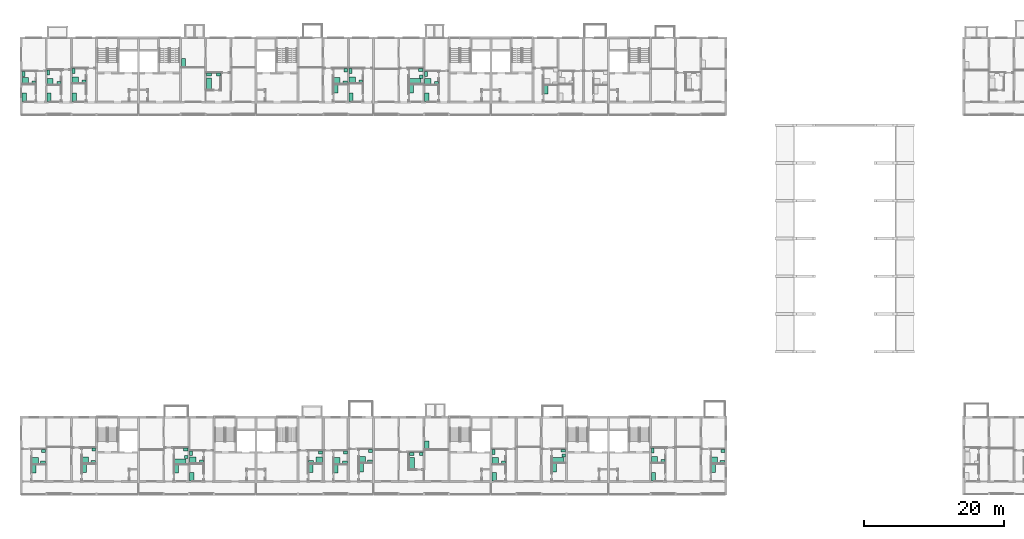
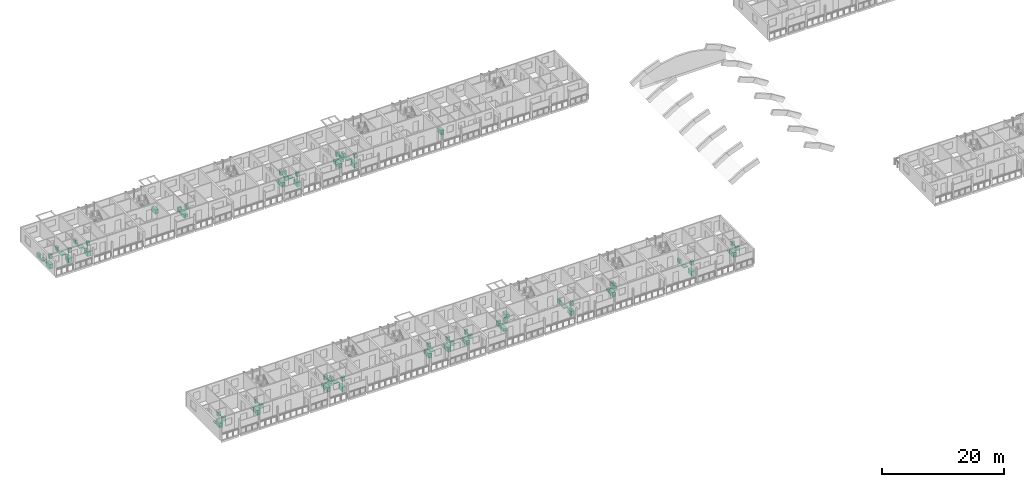
# One storey, part 97 of 99: 81 sanitary terminals.
"""IFC4 building model written with IfcOpenShell, lengths in metres."""

from ifc_helpers import new_model, si_unit, direction, frame, origin, origin_2d, place, context, subcontext, project, spatial, rectangle, extrude, element, save


model = new_model("IFC4")

# Units and contexts
model_context = context("Model", 3, precision=1e-05, world=origin(), true_north=direction((0.0, 1.0)))
body_context = subcontext(model_context, "Body", "Model", "MODEL_VIEW")
ifc_project = project(units=[si_unit("LENGTHUNIT", "METRE"), si_unit("AREAUNIT", "SQUARE_METRE"), si_unit("VOLUMEUNIT", "CUBIC_METRE"), si_unit("PLANEANGLEUNIT", "RADIAN"), si_unit("MASSUNIT", "GRAM", prefix="KILO")], contexts=[model_context])

# Site, building, storey
site_placement = place(None, origin())
site = spatial("IfcSite", under=ifc_project, at=site_placement, CompositionType="ELEMENT")
building_placement = place(site_placement, origin())
building = spatial("IfcBuilding", under=site, at=building_placement, Name="Ridgestep Commons", CompositionType="ELEMENT")
storey_placement = place(building_placement, frame((0.0, 0.0, 15.0)))
storey = spatial("IfcBuildingStorey", under=building, at=storey_placement, Name="L05", CompositionType="ELEMENT", Elevation=15.0)

# Sanitary terminals
sanitary_terminal_1_placement = place(storey_placement, frame((14.010009765625, 16.610107421875, 0.0), z_axis=(0.0, 0.0, 1.0), x_axis=(1.0, 0.0, 0.0)))
element("IfcSanitaryTerminal", 1, at=sanitary_terminal_1_placement, inside=storey, Name="Shower tray A1-05a", PredefinedType="SHOWER", context=body_context, shape_type="SweptSolid", body=[
    extrude(rectangle(XDim=0.89990234375, YDim=0.89990234375, at=origin_2d()), origin(), (0.0, 0.0, 1.0), 0.10009765625),
])
sanitary_terminal_2_placement = place(storey_placement, frame((15.14990234375, 16.360107421875, 0.0), z_axis=(0.0, 0.0, 1.0), x_axis=(1.0, 0.0, 0.0)))
element("IfcSanitaryTerminal", 2, at=sanitary_terminal_2_placement, inside=storey, Name="WC A1-05a", PredefinedType="TOILETPAN", context=body_context, shape_type="SweptSolid", body=[
    extrude(rectangle(XDim=0.699951171875, YDim=0.39990234375, at=origin_2d()), origin(), (0.0, 0.0, 1.0), 0.800048828125),
])
sanitary_terminal_3_placement = place(storey_placement, frame((15.22509765625, 18.02490234375, 0.0), z_axis=(0.0, 0.0, 1.0), x_axis=(1.0, 0.0, 0.0)))
element("IfcSanitaryTerminal", 3, at=sanitary_terminal_3_placement, inside=storey, Name="Basin A1-05a", PredefinedType="WASHHANDBASIN", context=body_context, shape_type="SweptSolid", body=[
    extrude(rectangle(XDim=0.550048828125, YDim=0.449951171875, at=origin_2d()), origin(), (0.0, 0.0, 1.0), 0.85009765625),
])
sanitary_terminal_4_placement = place(storey_placement, frame((13.860107421875, 15.449951171875, 0.0), z_axis=(0.0, 0.0, 1.0), x_axis=(1.0, 0.0, 0.0)))
element("IfcSanitaryTerminal", 4, at=sanitary_terminal_4_placement, inside=storey, Name="Kitchen sink A1-05a", PredefinedType="SINK", context=body_context, shape_type="SweptSolid", body=[
    extrude(rectangle(XDim=0.60009765625, YDim=1.199951171875, at=origin_2d()), origin(), (0.0, 0.0, 1.0), 0.89990234375),
])
sanitary_terminal_5_placement = place(storey_placement, frame((21.18505859375, 16.7099609375, 0.0), z_axis=(0.0, 0.0, 1.0), x_axis=(1.0, 0.0, 0.0)))
element("IfcSanitaryTerminal", 5, at=sanitary_terminal_5_placement, inside=storey, Name="Shower tray A1-05b", PredefinedType="SHOWER", context=body_context, shape_type="SweptSolid", body=[
    extrude(rectangle(XDim=0.89990234375, YDim=0.89990234375, at=origin_2d()), origin(), (0.0, 0.0, 1.0), 0.10009765625),
])
sanitary_terminal_6_placement = place(storey_placement, frame((22.324951171875, 16.4599609375, 0.0), z_axis=(0.0, 0.0, 1.0), x_axis=(1.0, 0.0, 0.0)))
element("IfcSanitaryTerminal", 6, at=sanitary_terminal_6_placement, inside=storey, Name="WC A1-05b", PredefinedType="TOILETPAN", context=body_context, shape_type="SweptSolid", body=[
    extrude(rectangle(XDim=0.699951171875, YDim=0.39990234375, at=origin_2d()), origin(), (0.0, 0.0, 1.0), 0.800048828125),
])
sanitary_terminal_7_placement = place(storey_placement, frame((22.39990234375, 18.22509765625, 0.0), z_axis=(0.0, 0.0, 1.0), x_axis=(1.0, 0.0, 0.0)))
element("IfcSanitaryTerminal", 7, at=sanitary_terminal_7_placement, inside=storey, Name="Basin A1-05b", PredefinedType="WASHHANDBASIN", context=body_context, shape_type="SweptSolid", body=[
    extrude(rectangle(XDim=0.550048828125, YDim=0.449951171875, at=origin_2d()), origin(), (0.0, 0.0, 1.0), 0.85009765625),
])
sanitary_terminal_8_placement = place(storey_placement, frame((21.034912109375, 15.550048828125, 0.0), z_axis=(0.0, 0.0, 1.0), x_axis=(1.0, 0.0, 0.0)))
element("IfcSanitaryTerminal", 8, at=sanitary_terminal_8_placement, inside=storey, Name="Kitchen sink A1-05b", PredefinedType="SINK", context=body_context, shape_type="SweptSolid", body=[
    extrude(rectangle(XDim=0.60009765625, YDim=1.199951171875, at=origin_2d()), origin(), (0.0, 0.0, 1.0), 0.89990234375),
])
sanitary_terminal_9_placement = place(storey_placement, frame((34.760009765625, 16.534912109375, 0.0), z_axis=(0.0, 0.0, 1.0), x_axis=(1.0, 0.0, 0.0)))
element("IfcSanitaryTerminal", 9, at=sanitary_terminal_9_placement, inside=storey, Name="Bath A2-05a", PredefinedType="BATH", context=body_context, shape_type="SweptSolid", body=[
    extrude(rectangle(XDim=1.699951171875, YDim=0.75, at=origin_2d()), origin(), (0.0, 0.0, 1.0), 0.550048828125),
])
sanitary_terminal_10_placement = place(storey_placement, frame((35.550048828125, 18.25, 0.0), z_axis=(0.0, 0.0, 1.0), x_axis=(1.0, 0.0, 0.0)))
element("IfcSanitaryTerminal", 10, at=sanitary_terminal_10_placement, inside=storey, Name="WC A2-05a", PredefinedType="TOILETPAN", context=body_context, shape_type="SweptSolid", body=[
    extrude(rectangle(XDim=0.699951171875, YDim=0.39990234375, at=origin_2d()), origin(), (0.0, 0.0, 1.0), 0.800048828125),
])
sanitary_terminal_11_placement = place(storey_placement, frame((35.625, 17.18505859375, 0.0), z_axis=(0.0, 0.0, 1.0), x_axis=(1.0, 0.0, 0.0)))
element("IfcSanitaryTerminal", 11, at=sanitary_terminal_11_placement, inside=storey, Name="Basin A2-05a", PredefinedType="WASHHANDBASIN", context=body_context, shape_type="SweptSolid", body=[
    extrude(rectangle(XDim=0.550048828125, YDim=0.449951171875, at=origin_2d()), origin(), (0.0, 0.0, 1.0), 0.85009765625),
])
sanitary_terminal_12_placement = place(storey_placement, frame((34.2099609375, 15.449951171875, 0.0), z_axis=(0.0, 0.0, 1.0), x_axis=(1.0, 0.0, 0.0)))
element("IfcSanitaryTerminal", 12, at=sanitary_terminal_12_placement, inside=storey, Name="Kitchen sink A2-05a", PredefinedType="SINK", context=body_context, shape_type="SweptSolid", body=[
    extrude(rectangle(XDim=0.60009765625, YDim=1.199951171875, at=origin_2d()), origin(), (0.0, 0.0, 1.0), 0.89990234375),
])
sanitary_terminal_13_placement = place(storey_placement, frame((36.550048828125, 16.7099609375, 0.0), z_axis=(0.0, 0.0, 1.0), x_axis=(1.0, 0.0, 0.0)))
element("IfcSanitaryTerminal", 13, at=sanitary_terminal_13_placement, inside=storey, Name="Shower tray A2-05b", PredefinedType="SHOWER", context=body_context, shape_type="SweptSolid", body=[
    extrude(rectangle(XDim=0.89990234375, YDim=0.89990234375, at=origin_2d()), origin(), (0.0, 0.0, 1.0), 0.10009765625),
])
sanitary_terminal_14_placement = place(storey_placement, frame((36.300048828125, 17.699951171875, 0.0), z_axis=(0.0, 0.0, 1.0), x_axis=(1.0, 0.0, 0.0)))
element("IfcSanitaryTerminal", 14, at=sanitary_terminal_14_placement, inside=storey, Name="WC A2-05b", PredefinedType="TOILETPAN", context=body_context, shape_type="SweptSolid", body=[
    extrude(rectangle(XDim=0.39990234375, YDim=0.699951171875, at=origin_2d()), origin(), (0.0, 0.0, 1.0), 0.800048828125),
])
sanitary_terminal_15_placement = place(storey_placement, frame((37.7900390625, 16.485107421875, 0.0), z_axis=(0.0, 0.0, 1.0), x_axis=(1.0, 0.0, 0.0)))
element("IfcSanitaryTerminal", 15, at=sanitary_terminal_15_placement, inside=storey, Name="Basin A2-05b", PredefinedType="WASHHANDBASIN", context=body_context, shape_type="SweptSolid", body=[
    extrude(rectangle(XDim=0.550048828125, YDim=0.449951171875, at=origin_2d()), origin(), (0.0, 0.0, 1.0), 0.85009765625),
])
sanitary_terminal_16_placement = place(storey_placement, frame((36.39990234375, 14.35009765625, 0.0), z_axis=(0.0, 0.0, 1.0), x_axis=(1.0, 0.0, 0.0)))
element("IfcSanitaryTerminal", 16, at=sanitary_terminal_16_placement, inside=storey, Name="Kitchen sink A2-05b", PredefinedType="SINK", context=body_context, shape_type="SweptSolid", body=[
    extrude(rectangle(XDim=0.60009765625, YDim=1.199951171875, at=origin_2d()), origin(), (0.0, 0.0, 1.0), 0.89990234375),
])
sanitary_terminal_17_placement = place(storey_placement, frame((60.784912109375, 16.81005859375, 0.0), z_axis=(0.0, 0.0, 1.0), x_axis=(1.0, 0.0, 0.0)))
element("IfcSanitaryTerminal", 17, at=sanitary_terminal_17_placement, inside=storey, Name="Shower tray A3-05a", PredefinedType="SHOWER", context=body_context, shape_type="SweptSolid", body=[
    extrude(rectangle(XDim=0.89990234375, YDim=0.89990234375, at=origin_2d()), origin(), (0.0, 0.0, 1.0), 0.10009765625),
])
sanitary_terminal_18_placement = place(storey_placement, frame((61.89990234375, 16.56005859375, 0.0), z_axis=(0.0, 0.0, 1.0), x_axis=(1.0, 0.0, 0.0)))
element("IfcSanitaryTerminal", 18, at=sanitary_terminal_18_placement, inside=storey, Name="WC A3-05a", PredefinedType="TOILETPAN", context=body_context, shape_type="SweptSolid", body=[
    extrude(rectangle(XDim=0.699951171875, YDim=0.39990234375, at=origin_2d()), origin(), (0.0, 0.0, 1.0), 0.800048828125),
])
sanitary_terminal_19_placement = place(storey_placement, frame((61.97509765625, 18.02490234375, 0.0), z_axis=(0.0, 0.0, 1.0), x_axis=(1.0, 0.0, 0.0)))
element("IfcSanitaryTerminal", 19, at=sanitary_terminal_19_placement, inside=storey, Name="Basin A3-05a", PredefinedType="WASHHANDBASIN", context=body_context, shape_type="SweptSolid", body=[
    extrude(rectangle(XDim=0.550048828125, YDim=0.449951171875, at=origin_2d()), origin(), (0.0, 0.0, 1.0), 0.85009765625),
])
sanitary_terminal_20_placement = place(storey_placement, frame((60.635009765625, 15.64990234375, 0.0), z_axis=(0.0, 0.0, 1.0), x_axis=(1.0, 0.0, 0.0)))
element("IfcSanitaryTerminal", 20, at=sanitary_terminal_20_placement, inside=storey, Name="Kitchen sink A3-05a", PredefinedType="SINK", context=body_context, shape_type="SweptSolid", body=[
    extrude(rectangle(XDim=0.60009765625, YDim=1.199951171875, at=origin_2d()), origin(), (0.0, 0.0, 1.0), 0.89990234375),
])
sanitary_terminal_21_placement = place(storey_placement, frame((57.18505859375, 16.610107421875, 0.0), z_axis=(0.0, 0.0, 1.0), x_axis=(1.0, 0.0, 0.0)))
element("IfcSanitaryTerminal", 21, at=sanitary_terminal_21_placement, inside=storey, Name="Shower tray A3-05b", PredefinedType="SHOWER", context=body_context, shape_type="SweptSolid", body=[
    extrude(rectangle(XDim=0.89990234375, YDim=0.89990234375, at=origin_2d()), origin(), (0.0, 0.0, 1.0), 0.10009765625),
])
sanitary_terminal_22_placement = place(storey_placement, frame((58.324951171875, 16.360107421875, 0.0), z_axis=(0.0, 0.0, 1.0), x_axis=(1.0, 0.0, 0.0)))
element("IfcSanitaryTerminal", 22, at=sanitary_terminal_22_placement, inside=storey, Name="WC A3-05b", PredefinedType="TOILETPAN", context=body_context, shape_type="SweptSolid", body=[
    extrude(rectangle(XDim=0.699951171875, YDim=0.39990234375, at=origin_2d()), origin(), (0.0, 0.0, 1.0), 0.800048828125),
])
sanitary_terminal_23_placement = place(storey_placement, frame((58.39990234375, 17.824951171875, 0.0), z_axis=(0.0, 0.0, 1.0), x_axis=(1.0, 0.0, 0.0)))
element("IfcSanitaryTerminal", 23, at=sanitary_terminal_23_placement, inside=storey, Name="Basin A3-05b", PredefinedType="WASHHANDBASIN", context=body_context, shape_type="SweptSolid", body=[
    extrude(rectangle(XDim=0.550048828125, YDim=0.449951171875, at=origin_2d()), origin(), (0.0, 0.0, 1.0), 0.85009765625),
])
sanitary_terminal_24_placement = place(storey_placement, frame((57.034912109375, 15.449951171875, 0.0), z_axis=(0.0, 0.0, 1.0), x_axis=(1.0, 0.0, 0.0)))
element("IfcSanitaryTerminal", 24, at=sanitary_terminal_24_placement, inside=storey, Name="Kitchen sink A3-05b", PredefinedType="SINK", context=body_context, shape_type="SweptSolid", body=[
    extrude(rectangle(XDim=0.60009765625, YDim=1.199951171875, at=origin_2d()), origin(), (0.0, 0.0, 1.0), 0.89990234375),
])
sanitary_terminal_25_placement = place(storey_placement, frame((54.625, 16.7099609375, 0.0), z_axis=(0.0, 0.0, 1.0), x_axis=(1.0, 0.0, 0.0)))
element("IfcSanitaryTerminal", 25, at=sanitary_terminal_25_placement, inside=storey, Name="Shower tray A3-05c", PredefinedType="SHOWER", context=body_context, shape_type="SweptSolid", body=[
    extrude(rectangle(XDim=0.89990234375, YDim=0.89990234375, at=origin_2d()), origin(), (0.0, 0.0, 1.0), 0.10009765625),
])
sanitary_terminal_26_placement = place(storey_placement, frame((53.485107421875, 16.4599609375, 0.0), z_axis=(0.0, 0.0, 1.0), x_axis=(1.0, 0.0, 0.0)))
element("IfcSanitaryTerminal", 26, at=sanitary_terminal_26_placement, inside=storey, Name="WC A3-05c", PredefinedType="TOILETPAN", context=body_context, shape_type="SweptSolid", body=[
    extrude(rectangle(XDim=0.699951171875, YDim=0.39990234375, at=origin_2d()), origin(), (0.0, 0.0, 1.0), 0.800048828125),
])
sanitary_terminal_27_placement = place(storey_placement, frame((54.800048828125, 17.824951171875, 0.0), z_axis=(0.0, 0.0, 1.0), x_axis=(1.0, 0.0, 0.0)))
element("IfcSanitaryTerminal", 27, at=sanitary_terminal_27_placement, inside=storey, Name="Basin A3-05c", PredefinedType="WASHHANDBASIN", context=body_context, shape_type="SweptSolid", body=[
    extrude(rectangle(XDim=0.550048828125, YDim=0.449951171875, at=origin_2d()), origin(), (0.0, 0.0, 1.0), 0.85009765625),
])
sanitary_terminal_28_placement = place(storey_placement, frame((53.43505859375, 15.550048828125, 0.0), z_axis=(0.0, 0.0, 1.0), x_axis=(1.0, 0.0, 0.0)))
element("IfcSanitaryTerminal", 28, at=sanitary_terminal_28_placement, inside=storey, Name="Kitchen sink A3-05c", PredefinedType="SINK", context=body_context, shape_type="SweptSolid", body=[
    extrude(rectangle(XDim=0.60009765625, YDim=1.199951171875, at=origin_2d()), origin(), (0.0, 0.0, 1.0), 0.89990234375),
])
sanitary_terminal_29_placement = place(storey_placement, frame((67.885009765625, 16.260009765625, 0.0), z_axis=(0.0, 0.0, 1.0), x_axis=(1.0, 0.0, 0.0)))
element("IfcSanitaryTerminal", 29, at=sanitary_terminal_29_placement, inside=storey, Name="Bath A4-05a", PredefinedType="BATH", context=body_context, shape_type="SweptSolid", body=[
    extrude(rectangle(XDim=0.75, YDim=1.699951171875, at=origin_2d()), origin(), (0.0, 0.0, 1.0), 0.550048828125),
])
sanitary_terminal_30_placement = place(storey_placement, frame((67.860107421875, 17.610107421875, 0.0), z_axis=(0.0, 0.0, 1.0), x_axis=(1.0, 0.0, 0.0)))
element("IfcSanitaryTerminal", 30, at=sanitary_terminal_30_placement, inside=storey, Name="WC A4-05a", PredefinedType="TOILETPAN", context=body_context, shape_type="SweptSolid", body=[
    extrude(rectangle(XDim=0.699951171875, YDim=0.39990234375, at=origin_2d()), origin(), (0.0, 0.0, 1.0), 0.800048828125),
])
sanitary_terminal_31_placement = place(storey_placement, frame((69.22509765625, 17.5849609375, 0.0), z_axis=(0.0, 0.0, 1.0), x_axis=(1.0, 0.0, 0.0)))
element("IfcSanitaryTerminal", 31, at=sanitary_terminal_31_placement, inside=storey, Name="Basin A4-05a", PredefinedType="WASHHANDBASIN", context=body_context, shape_type="SweptSolid", body=[
    extrude(rectangle(XDim=0.550048828125, YDim=0.449951171875, at=origin_2d()), origin(), (0.0, 0.0, 1.0), 0.85009765625),
])
sanitary_terminal_32_placement = place(storey_placement, frame((70.0, 18.860107421875, 0.0), z_axis=(0.0, 0.0, 1.0), x_axis=(1.0, 0.0, 0.0)))
element("IfcSanitaryTerminal", 32, at=sanitary_terminal_32_placement, inside=storey, Name="Kitchen sink A4-05a", PredefinedType="SINK", context=body_context, shape_type="SweptSolid", body=[
    extrude(rectangle(XDim=0.60009765625, YDim=1.199951171875, at=origin_2d()), origin(), (0.0, 0.0, 1.0), 0.89990234375),
])
sanitary_terminal_33_placement = place(storey_placement, frame((79.800048828125, 16.610107421875, 0.0), z_axis=(0.0, 0.0, 1.0), x_axis=(1.0, 0.0, 0.0)))
element("IfcSanitaryTerminal", 33, at=sanitary_terminal_33_placement, inside=storey, Name="Shower tray A5-05a", PredefinedType="SHOWER", context=body_context, shape_type="SweptSolid", body=[
    extrude(rectangle(XDim=0.89990234375, YDim=0.89990234375, at=origin_2d()), origin(), (0.0, 0.0, 1.0), 0.10009765625),
])
sanitary_terminal_34_placement = place(storey_placement, frame((79.550048828125, 17.89990234375, 0.0), z_axis=(0.0, 0.0, 1.0), x_axis=(1.0, 0.0, 0.0)))
element("IfcSanitaryTerminal", 34, at=sanitary_terminal_34_placement, inside=storey, Name="WC A5-05a", PredefinedType="TOILETPAN", context=body_context, shape_type="SweptSolid", body=[
    extrude(rectangle(XDim=0.39990234375, YDim=0.699951171875, at=origin_2d()), origin(), (0.0, 0.0, 1.0), 0.800048828125),
])
sanitary_terminal_35_placement = place(storey_placement, frame((80.989990234375, 16.385009765625, 0.0), z_axis=(0.0, 0.0, 1.0), x_axis=(1.0, 0.0, 0.0)))
element("IfcSanitaryTerminal", 35, at=sanitary_terminal_35_placement, inside=storey, Name="Basin A5-05a", PredefinedType="WASHHANDBASIN", context=body_context, shape_type="SweptSolid", body=[
    extrude(rectangle(XDim=0.550048828125, YDim=0.449951171875, at=origin_2d()), origin(), (0.0, 0.0, 1.0), 0.85009765625),
])
sanitary_terminal_36_placement = place(storey_placement, frame((79.64990234375, 14.35009765625, 0.0), z_axis=(0.0, 0.0, 1.0), x_axis=(1.0, 0.0, 0.0)))
element("IfcSanitaryTerminal", 36, at=sanitary_terminal_36_placement, inside=storey, Name="Kitchen sink A5-05a", PredefinedType="SINK", context=body_context, shape_type="SweptSolid", body=[
    extrude(rectangle(XDim=0.60009765625, YDim=1.199951171875, at=origin_2d()), origin(), (0.0, 0.0, 1.0), 0.89990234375),
])
sanitary_terminal_37_placement = place(storey_placement, frame((88.784912109375, 16.735107421875, 0.0), z_axis=(0.0, 0.0, 1.0), x_axis=(1.0, 0.0, 0.0)))
element("IfcSanitaryTerminal", 37, at=sanitary_terminal_37_placement, inside=storey, Name="Bath A5-05b", PredefinedType="BATH", context=body_context, shape_type="SweptSolid", body=[
    extrude(rectangle(XDim=1.699951171875, YDim=0.75, at=origin_2d()), origin(), (0.0, 0.0, 1.0), 0.550048828125),
])
sanitary_terminal_38_placement = place(storey_placement, frame((89.52490234375, 18.050048828125, 0.0), z_axis=(0.0, 0.0, 1.0), x_axis=(1.0, 0.0, 0.0)))
element("IfcSanitaryTerminal", 38, at=sanitary_terminal_38_placement, inside=storey, Name="WC A5-05b", PredefinedType="TOILETPAN", context=body_context, shape_type="SweptSolid", body=[
    extrude(rectangle(XDim=0.699951171875, YDim=0.39990234375, at=origin_2d()), origin(), (0.0, 0.0, 1.0), 0.800048828125),
])
sanitary_terminal_39_placement = place(storey_placement, frame((89.60009765625, 17.385009765625, 0.0), z_axis=(0.0, 0.0, 1.0), x_axis=(1.0, 0.0, 0.0)))
element("IfcSanitaryTerminal", 39, at=sanitary_terminal_39_placement, inside=storey, Name="Basin A5-05b", PredefinedType="WASHHANDBASIN", context=body_context, shape_type="SweptSolid", body=[
    extrude(rectangle(XDim=0.550048828125, YDim=0.449951171875, at=origin_2d()), origin(), (0.0, 0.0, 1.0), 0.85009765625),
])
sanitary_terminal_40_placement = place(storey_placement, frame((88.235107421875, 15.64990234375, 0.0), z_axis=(0.0, 0.0, 1.0), x_axis=(1.0, 0.0, 0.0)))
element("IfcSanitaryTerminal", 40, at=sanitary_terminal_40_placement, inside=storey, Name="Kitchen sink A5-05b", PredefinedType="SINK", context=body_context, shape_type="SweptSolid", body=[
    extrude(rectangle(XDim=0.60009765625, YDim=1.199951171875, at=origin_2d()), origin(), (0.0, 0.0, 1.0), 0.89990234375),
])
sanitary_terminal_41_placement = place(storey_placement, frame((111.159912109375, 16.7099609375, 0.0), z_axis=(0.0, 0.0, 1.0), x_axis=(1.0, 0.0, 0.0)))
element("IfcSanitaryTerminal", 41, at=sanitary_terminal_41_placement, inside=storey, Name="Shower tray A6-05a", PredefinedType="SHOWER", context=body_context, shape_type="SweptSolid", body=[
    extrude(rectangle(XDim=0.89990234375, YDim=0.89990234375, at=origin_2d()), origin(), (0.0, 0.0, 1.0), 0.10009765625),
])
sanitary_terminal_42_placement = place(storey_placement, frame((112.300048828125, 16.4599609375, 0.0), z_axis=(0.0, 0.0, 1.0), x_axis=(1.0, 0.0, 0.0)))
element("IfcSanitaryTerminal", 42, at=sanitary_terminal_42_placement, inside=storey, Name="WC A6-05a", PredefinedType="TOILETPAN", context=body_context, shape_type="SweptSolid", body=[
    extrude(rectangle(XDim=0.699951171875, YDim=0.39990234375, at=origin_2d()), origin(), (0.0, 0.0, 1.0), 0.800048828125),
])
sanitary_terminal_43_placement = place(storey_placement, frame((112.375, 18.02490234375, 0.0), z_axis=(0.0, 0.0, 1.0), x_axis=(1.0, 0.0, 0.0)))
element("IfcSanitaryTerminal", 43, at=sanitary_terminal_43_placement, inside=storey, Name="Basin A6-05a", PredefinedType="WASHHANDBASIN", context=body_context, shape_type="SweptSolid", body=[
    extrude(rectangle(XDim=0.550048828125, YDim=0.449951171875, at=origin_2d()), origin(), (0.0, 0.0, 1.0), 0.85009765625),
])
sanitary_terminal_44_placement = place(storey_placement, frame((111.010009765625, 15.550048828125, 0.0), z_axis=(0.0, 0.0, 1.0), x_axis=(1.0, 0.0, 0.0)))
element("IfcSanitaryTerminal", 44, at=sanitary_terminal_44_placement, inside=storey, Name="Kitchen sink A6-05a", PredefinedType="SINK", context=body_context, shape_type="SweptSolid", body=[
    extrude(rectangle(XDim=0.60009765625, YDim=1.199951171875, at=origin_2d()), origin(), (0.0, 0.0, 1.0), 0.89990234375),
])
sanitary_terminal_45_placement = place(storey_placement, frame((102.574951171875, 16.81005859375, 0.0), z_axis=(0.0, 0.0, 1.0), x_axis=(1.0, 0.0, 0.0)))
element("IfcSanitaryTerminal", 45, at=sanitary_terminal_45_placement, inside=storey, Name="Shower tray A6-05b", PredefinedType="SHOWER", context=body_context, shape_type="SweptSolid", body=[
    extrude(rectangle(XDim=0.89990234375, YDim=0.89990234375, at=origin_2d()), origin(), (0.0, 0.0, 1.0), 0.10009765625),
])
sanitary_terminal_46_placement = place(storey_placement, frame((102.324951171875, 18.10009765625, 0.0), z_axis=(0.0, 0.0, 1.0), x_axis=(1.0, 0.0, 0.0)))
element("IfcSanitaryTerminal", 46, at=sanitary_terminal_46_placement, inside=storey, Name="WC A6-05b", PredefinedType="TOILETPAN", context=body_context, shape_type="SweptSolid", body=[
    extrude(rectangle(XDim=0.39990234375, YDim=0.699951171875, at=origin_2d()), origin(), (0.0, 0.0, 1.0), 0.800048828125),
])
sanitary_terminal_47_placement = place(storey_placement, frame((103.81494140625, 16.5849609375, 0.0), z_axis=(0.0, 0.0, 1.0), x_axis=(1.0, 0.0, 0.0)))
element("IfcSanitaryTerminal", 47, at=sanitary_terminal_47_placement, inside=storey, Name="Basin A6-05b", PredefinedType="WASHHANDBASIN", context=body_context, shape_type="SweptSolid", body=[
    extrude(rectangle(XDim=0.550048828125, YDim=0.449951171875, at=origin_2d()), origin(), (0.0, 0.0, 1.0), 0.85009765625),
])
sanitary_terminal_48_placement = place(storey_placement, frame((102.425048828125, 14.35009765625, 0.0), z_axis=(0.0, 0.0, 1.0), x_axis=(1.0, 0.0, 0.0)))
element("IfcSanitaryTerminal", 48, at=sanitary_terminal_48_placement, inside=storey, Name="Kitchen sink A6-05b", PredefinedType="SINK", context=body_context, shape_type="SweptSolid", body=[
    extrude(rectangle(XDim=0.60009765625, YDim=1.199951171875, at=origin_2d()), origin(), (0.0, 0.0, 1.0), 0.89990234375),
])
sanitary_terminal_49_placement = place(storey_placement, frame((12.60009765625, 70.9599609375, 0.0), z_axis=(0.0, 0.0, 1.0), x_axis=(1.0, 0.0, 0.0)))
element("IfcSanitaryTerminal", 49, at=sanitary_terminal_49_placement, inside=storey, Name="Shower tray B1-05a", PredefinedType="SHOWER", context=body_context, shape_type="SweptSolid", body=[
    extrude(rectangle(XDim=0.89990234375, YDim=0.89990234375, at=origin_2d()), origin(), (0.0, 0.0, 1.0), 0.10009765625),
])
sanitary_terminal_50_placement = place(storey_placement, frame((12.35009765625, 71.949951171875, 0.0), z_axis=(0.0, 0.0, 1.0), x_axis=(1.0, 0.0, 0.0)))
element("IfcSanitaryTerminal", 50, at=sanitary_terminal_50_placement, inside=storey, Name="WC B1-05a", PredefinedType="TOILETPAN", context=body_context, shape_type="SweptSolid", body=[
    extrude(rectangle(XDim=0.39990234375, YDim=0.699951171875, at=origin_2d()), origin(), (0.0, 0.0, 1.0), 0.800048828125),
])
sanitary_terminal_51_placement = place(storey_placement, frame((13.81494140625, 70.735107421875, 0.0), z_axis=(0.0, 0.0, 1.0), x_axis=(1.0, 0.0, 0.0)))
element("IfcSanitaryTerminal", 51, at=sanitary_terminal_51_placement, inside=storey, Name="Basin B1-05a", PredefinedType="WASHHANDBASIN", context=body_context, shape_type="SweptSolid", body=[
    extrude(rectangle(XDim=0.550048828125, YDim=0.449951171875, at=origin_2d()), origin(), (0.0, 0.0, 1.0), 0.85009765625),
])
sanitary_terminal_52_placement = place(storey_placement, frame((12.449951171875, 68.60009765625, 0.0), z_axis=(0.0, 0.0, 1.0), x_axis=(1.0, 0.0, 0.0)))
element("IfcSanitaryTerminal", 52, at=sanitary_terminal_52_placement, inside=storey, Name="Kitchen sink B1-05a", PredefinedType="SINK", context=body_context, shape_type="SweptSolid", body=[
    extrude(rectangle(XDim=0.60009765625, YDim=1.199951171875, at=origin_2d()), origin(), (0.0, 0.0, 1.0), 0.89990234375),
])
sanitary_terminal_53_placement = place(storey_placement, frame((16.14990234375, 70.860107421875, 0.0), z_axis=(0.0, 0.0, 1.0), x_axis=(1.0, 0.0, 0.0)))
element("IfcSanitaryTerminal", 53, at=sanitary_terminal_53_placement, inside=storey, Name="Shower tray B1-05b", PredefinedType="SHOWER", context=body_context, shape_type="SweptSolid", body=[
    extrude(rectangle(XDim=0.89990234375, YDim=0.89990234375, at=origin_2d()), origin(), (0.0, 0.0, 1.0), 0.10009765625),
])
sanitary_terminal_54_placement = place(storey_placement, frame((15.89990234375, 72.14990234375, 0.0), z_axis=(0.0, 0.0, 1.0), x_axis=(1.0, 0.0, 0.0)))
element("IfcSanitaryTerminal", 54, at=sanitary_terminal_54_placement, inside=storey, Name="WC B1-05b", PredefinedType="TOILETPAN", context=body_context, shape_type="SweptSolid", body=[
    extrude(rectangle(XDim=0.39990234375, YDim=0.699951171875, at=origin_2d()), origin(), (0.0, 0.0, 1.0), 0.800048828125),
])
sanitary_terminal_55_placement = place(storey_placement, frame((17.4150390625, 70.635009765625, 0.0), z_axis=(0.0, 0.0, 1.0), x_axis=(1.0, 0.0, 0.0)))
element("IfcSanitaryTerminal", 55, at=sanitary_terminal_55_placement, inside=storey, Name="Basin B1-05b", PredefinedType="WASHHANDBASIN", context=body_context, shape_type="SweptSolid", body=[
    extrude(rectangle(XDim=0.550048828125, YDim=0.449951171875, at=origin_2d()), origin(), (0.0, 0.0, 1.0), 0.85009765625),
])
sanitary_terminal_56_placement = place(storey_placement, frame((16.0, 68.60009765625, 0.0), z_axis=(0.0, 0.0, 1.0), x_axis=(1.0, 0.0, 0.0)))
element("IfcSanitaryTerminal", 56, at=sanitary_terminal_56_placement, inside=storey, Name="Kitchen sink B1-05b", PredefinedType="SINK", context=body_context, shape_type="SweptSolid", body=[
    extrude(rectangle(XDim=0.60009765625, YDim=1.199951171875, at=origin_2d()), origin(), (0.0, 0.0, 1.0), 0.89990234375),
])
sanitary_terminal_57_placement = place(storey_placement, frame((19.75, 71.06005859375, 0.0), z_axis=(0.0, 0.0, 1.0), x_axis=(1.0, 0.0, 0.0)))
element("IfcSanitaryTerminal", 57, at=sanitary_terminal_57_placement, inside=storey, Name="Shower tray B1-05c", PredefinedType="SHOWER", context=body_context, shape_type="SweptSolid", body=[
    extrude(rectangle(XDim=0.89990234375, YDim=0.89990234375, at=origin_2d()), origin(), (0.0, 0.0, 1.0), 0.10009765625),
])
sanitary_terminal_58_placement = place(storey_placement, frame((19.5, 72.35009765625, 0.0), z_axis=(0.0, 0.0, 1.0), x_axis=(1.0, 0.0, 0.0)))
element("IfcSanitaryTerminal", 58, at=sanitary_terminal_58_placement, inside=storey, Name="WC B1-05c", PredefinedType="TOILETPAN", context=body_context, shape_type="SweptSolid", body=[
    extrude(rectangle(XDim=0.39990234375, YDim=0.699951171875, at=origin_2d()), origin(), (0.0, 0.0, 1.0), 0.800048828125),
])
sanitary_terminal_59_placement = place(storey_placement, frame((20.989990234375, 70.8349609375, 0.0), z_axis=(0.0, 0.0, 1.0), x_axis=(1.0, 0.0, 0.0)))
element("IfcSanitaryTerminal", 59, at=sanitary_terminal_59_placement, inside=storey, Name="Basin B1-05c", PredefinedType="WASHHANDBASIN", context=body_context, shape_type="SweptSolid", body=[
    extrude(rectangle(XDim=0.550048828125, YDim=0.449951171875, at=origin_2d()), origin(), (0.0, 0.0, 1.0), 0.85009765625),
])
sanitary_terminal_60_placement = place(storey_placement, frame((19.60009765625, 68.60009765625, 0.0), z_axis=(0.0, 0.0, 1.0), x_axis=(1.0, 0.0, 0.0)))
element("IfcSanitaryTerminal", 60, at=sanitary_terminal_60_placement, inside=storey, Name="Kitchen sink B1-05c", PredefinedType="SINK", context=body_context, shape_type="SweptSolid", body=[
    extrude(rectangle(XDim=0.60009765625, YDim=1.199951171875, at=origin_2d()), origin(), (0.0, 0.0, 1.0), 0.89990234375),
])
sanitary_terminal_61_placement = place(storey_placement, frame((38.875, 70.510009765625, 0.0), z_axis=(0.0, 0.0, 1.0), x_axis=(1.0, 0.0, 0.0)))
element("IfcSanitaryTerminal", 61, at=sanitary_terminal_61_placement, inside=storey, Name="Bath B2-05a", PredefinedType="BATH", context=body_context, shape_type="SweptSolid", body=[
    extrude(rectangle(XDim=0.75, YDim=1.699951171875, at=origin_2d()), origin(), (0.0, 0.0, 1.0), 0.550048828125),
])
sanitary_terminal_62_placement = place(storey_placement, frame((38.85009765625, 71.860107421875, 0.0), z_axis=(0.0, 0.0, 1.0), x_axis=(1.0, 0.0, 0.0)))
element("IfcSanitaryTerminal", 62, at=sanitary_terminal_62_placement, inside=storey, Name="WC B2-05a", PredefinedType="TOILETPAN", context=body_context, shape_type="SweptSolid", body=[
    extrude(rectangle(XDim=0.699951171875, YDim=0.39990234375, at=origin_2d()), origin(), (0.0, 0.0, 1.0), 0.800048828125),
])
sanitary_terminal_63_placement = place(storey_placement, frame((40.215087890625, 71.8349609375, 0.0), z_axis=(0.0, 0.0, 1.0), x_axis=(1.0, 0.0, 0.0)))
element("IfcSanitaryTerminal", 63, at=sanitary_terminal_63_placement, inside=storey, Name="Basin B2-05a", PredefinedType="WASHHANDBASIN", context=body_context, shape_type="SweptSolid", body=[
    extrude(rectangle(XDim=0.550048828125, YDim=0.449951171875, at=origin_2d()), origin(), (0.0, 0.0, 1.0), 0.85009765625),
])
sanitary_terminal_64_placement = place(storey_placement, frame((35.22509765625, 73.510009765625, 0.0), z_axis=(0.0, 0.0, 1.0), x_axis=(1.0, 0.0, 0.0)))
element("IfcSanitaryTerminal", 64, at=sanitary_terminal_64_placement, inside=storey, Name="Kitchen sink B2-05a", PredefinedType="SINK", context=body_context, shape_type="SweptSolid", body=[
    extrude(rectangle(XDim=0.60009765625, YDim=1.199951171875, at=origin_2d()), origin(), (0.0, 0.0, 1.0), 0.89990234375),
])
sanitary_terminal_65_placement = place(storey_placement, frame((59.35009765625, 71.06005859375, 0.0), z_axis=(0.0, 0.0, 1.0), x_axis=(1.0, 0.0, 0.0)))
element("IfcSanitaryTerminal", 65, at=sanitary_terminal_65_placement, inside=storey, Name="Shower tray B3-05a", PredefinedType="SHOWER", context=body_context, shape_type="SweptSolid", body=[
    extrude(rectangle(XDim=0.89990234375, YDim=0.89990234375, at=origin_2d()), origin(), (0.0, 0.0, 1.0), 0.10009765625),
])
sanitary_terminal_66_placement = place(storey_placement, frame((59.10009765625, 72.35009765625, 0.0), z_axis=(0.0, 0.0, 1.0), x_axis=(1.0, 0.0, 0.0)))
element("IfcSanitaryTerminal", 66, at=sanitary_terminal_66_placement, inside=storey, Name="WC B3-05a", PredefinedType="TOILETPAN", context=body_context, shape_type="SweptSolid", body=[
    extrude(rectangle(XDim=0.39990234375, YDim=0.699951171875, at=origin_2d()), origin(), (0.0, 0.0, 1.0), 0.800048828125),
])
sanitary_terminal_67_placement = place(storey_placement, frame((60.56494140625, 70.8349609375, 0.0), z_axis=(0.0, 0.0, 1.0), x_axis=(1.0, 0.0, 0.0)))
element("IfcSanitaryTerminal", 67, at=sanitary_terminal_67_placement, inside=storey, Name="Basin B3-05a", PredefinedType="WASHHANDBASIN", context=body_context, shape_type="SweptSolid", body=[
    extrude(rectangle(XDim=0.550048828125, YDim=0.449951171875, at=origin_2d()), origin(), (0.0, 0.0, 1.0), 0.85009765625),
])
sanitary_terminal_68_placement = place(storey_placement, frame((59.199951171875, 68.60009765625, 0.0), z_axis=(0.0, 0.0, 1.0), x_axis=(1.0, 0.0, 0.0)))
element("IfcSanitaryTerminal", 68, at=sanitary_terminal_68_placement, inside=storey, Name="Kitchen sink B3-05a", PredefinedType="SINK", context=body_context, shape_type="SweptSolid", body=[
    extrude(rectangle(XDim=0.60009765625, YDim=1.199951171875, at=origin_2d()), origin(), (0.0, 0.0, 1.0), 0.89990234375),
])
sanitary_terminal_69_placement = place(storey_placement, frame((57.159912109375, 70.9599609375, 0.0), z_axis=(0.0, 0.0, 1.0), x_axis=(1.0, 0.0, 0.0)))
element("IfcSanitaryTerminal", 69, at=sanitary_terminal_69_placement, inside=storey, Name="Shower tray B3-05b", PredefinedType="SHOWER", context=body_context, shape_type="SweptSolid", body=[
    extrude(rectangle(XDim=0.89990234375, YDim=0.89990234375, at=origin_2d()), origin(), (0.0, 0.0, 1.0), 0.10009765625),
])
sanitary_terminal_70_placement = place(storey_placement, frame((58.35009765625, 70.7099609375, 0.0), z_axis=(0.0, 0.0, 1.0), x_axis=(1.0, 0.0, 0.0)))
element("IfcSanitaryTerminal", 70, at=sanitary_terminal_70_placement, inside=storey, Name="WC B3-05b", PredefinedType="TOILETPAN", context=body_context, shape_type="SweptSolid", body=[
    extrude(rectangle(XDim=0.699951171875, YDim=0.39990234375, at=origin_2d()), origin(), (0.0, 0.0, 1.0), 0.800048828125),
])
sanitary_terminal_71_placement = place(storey_placement, frame((58.425048828125, 72.47509765625, 0.0), z_axis=(0.0, 0.0, 1.0), x_axis=(1.0, 0.0, 0.0)))
element("IfcSanitaryTerminal", 71, at=sanitary_terminal_71_placement, inside=storey, Name="Basin B3-05b", PredefinedType="WASHHANDBASIN", context=body_context, shape_type="SweptSolid", body=[
    extrude(rectangle(XDim=0.550048828125, YDim=0.449951171875, at=origin_2d()), origin(), (0.0, 0.0, 1.0), 0.85009765625),
])
sanitary_terminal_72_placement = place(storey_placement, frame((57.010009765625, 69.800048828125, 0.0), z_axis=(0.0, 0.0, 1.0), x_axis=(1.0, 0.0, 0.0)))
element("IfcSanitaryTerminal", 72, at=sanitary_terminal_72_placement, inside=storey, Name="Kitchen sink B3-05b", PredefinedType="SINK", context=body_context, shape_type="SweptSolid", body=[
    extrude(rectangle(XDim=0.60009765625, YDim=1.199951171875, at=origin_2d()), origin(), (0.0, 0.0, 1.0), 0.89990234375),
])
sanitary_terminal_73_placement = place(storey_placement, frame((68.360107421875, 70.885009765625, 0.0), z_axis=(0.0, 0.0, 1.0), x_axis=(1.0, 0.0, 0.0)))
element("IfcSanitaryTerminal", 73, at=sanitary_terminal_73_placement, inside=storey, Name="Bath B4-05a", PredefinedType="BATH", context=body_context, shape_type="SweptSolid", body=[
    extrude(rectangle(XDim=1.699951171875, YDim=0.75, at=origin_2d()), origin(), (0.0, 0.0, 1.0), 0.550048828125),
])
sanitary_terminal_74_placement = place(storey_placement, frame((69.14990234375, 72.5, 0.0), z_axis=(0.0, 0.0, 1.0), x_axis=(1.0, 0.0, 0.0)))
element("IfcSanitaryTerminal", 74, at=sanitary_terminal_74_placement, inside=storey, Name="WC B4-05a", PredefinedType="TOILETPAN", context=body_context, shape_type="SweptSolid", body=[
    extrude(rectangle(XDim=0.699951171875, YDim=0.39990234375, at=origin_2d()), origin(), (0.0, 0.0, 1.0), 0.800048828125),
])
sanitary_terminal_75_placement = place(storey_placement, frame((69.22509765625, 71.534912109375, 0.0), z_axis=(0.0, 0.0, 1.0), x_axis=(1.0, 0.0, 0.0)))
element("IfcSanitaryTerminal", 75, at=sanitary_terminal_75_placement, inside=storey, Name="Basin B4-05a", PredefinedType="WASHHANDBASIN", context=body_context, shape_type="SweptSolid", body=[
    extrude(rectangle(XDim=0.550048828125, YDim=0.449951171875, at=origin_2d()), origin(), (0.0, 0.0, 1.0), 0.85009765625),
])
sanitary_terminal_76_placement = place(storey_placement, frame((67.81005859375, 69.800048828125, 0.0), z_axis=(0.0, 0.0, 1.0), x_axis=(1.0, 0.0, 0.0)))
element("IfcSanitaryTerminal", 76, at=sanitary_terminal_76_placement, inside=storey, Name="Kitchen sink B4-05a", PredefinedType="SINK", context=body_context, shape_type="SweptSolid", body=[
    extrude(rectangle(XDim=0.60009765625, YDim=1.199951171875, at=origin_2d()), origin(), (0.0, 0.0, 1.0), 0.89990234375),
])
sanitary_terminal_77_placement = place(storey_placement, frame((70.14990234375, 70.860107421875, 0.0), z_axis=(0.0, 0.0, 1.0), x_axis=(1.0, 0.0, 0.0)))
element("IfcSanitaryTerminal", 77, at=sanitary_terminal_77_placement, inside=storey, Name="Shower tray B4-05b", PredefinedType="SHOWER", context=body_context, shape_type="SweptSolid", body=[
    extrude(rectangle(XDim=0.89990234375, YDim=0.89990234375, at=origin_2d()), origin(), (0.0, 0.0, 1.0), 0.10009765625),
])
sanitary_terminal_78_placement = place(storey_placement, frame((69.89990234375, 71.949951171875, 0.0), z_axis=(0.0, 0.0, 1.0), x_axis=(1.0, 0.0, 0.0)))
element("IfcSanitaryTerminal", 78, at=sanitary_terminal_78_placement, inside=storey, Name="WC B4-05b", PredefinedType="TOILETPAN", context=body_context, shape_type="SweptSolid", body=[
    extrude(rectangle(XDim=0.39990234375, YDim=0.699951171875, at=origin_2d()), origin(), (0.0, 0.0, 1.0), 0.800048828125),
])
sanitary_terminal_79_placement = place(storey_placement, frame((71.389892578125, 70.635009765625, 0.0), z_axis=(0.0, 0.0, 1.0), x_axis=(1.0, 0.0, 0.0)))
element("IfcSanitaryTerminal", 79, at=sanitary_terminal_79_placement, inside=storey, Name="Basin B4-05b", PredefinedType="WASHHANDBASIN", context=body_context, shape_type="SweptSolid", body=[
    extrude(rectangle(XDim=0.550048828125, YDim=0.449951171875, at=origin_2d()), origin(), (0.0, 0.0, 1.0), 0.85009765625),
])
for number, where, z_axis, x_axis, name in (
    (80, (70.0, 68.60009765625, 0.0), (0.0, 0.0, 1.0), (1.0, 0.0, 0.0), "Kitchen sink B4-05b"),
    (81, (87.034912109375, 69.699951171875, 0.0), (0.0, 0.0, 1.0), (1.0, 0.0, 0.0), "Kitchen sink B5-05c"),
):
    element("IfcSanitaryTerminal", number, at=place(storey_placement, frame(where, z_axis=z_axis, x_axis=x_axis)), inside=storey, Name=name, PredefinedType="SINK", context=body_context, shape_type="SweptSolid", body=[
        extrude(rectangle(XDim=0.60009765625, YDim=1.199951171875, at=origin_2d()), origin(), (0.0, 0.0, 1.0), 0.89990234375),
    ])

save(model, "model.ifc")
